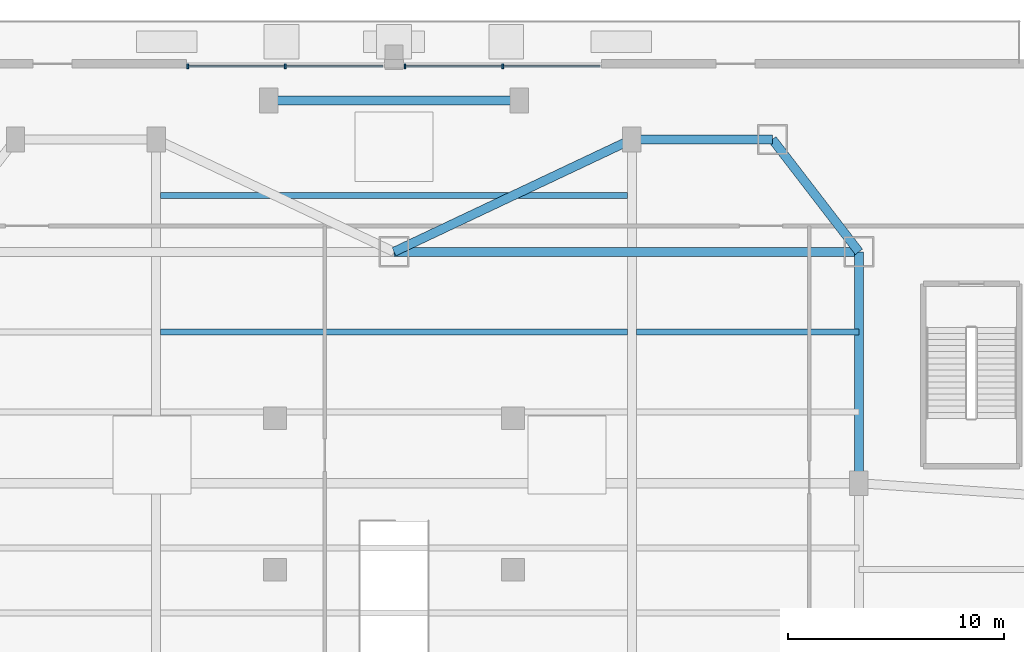
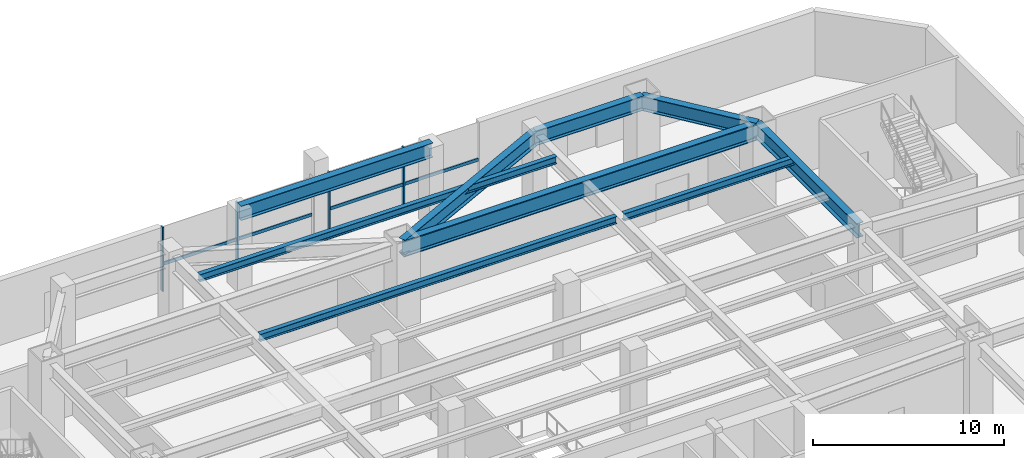
# One storey, part 2 of 10: 9 beams, 8 members, 2 elements without a shape of their own.
"""IFC4 building model written with IfcOpenShell, lengths in metres."""

from ifc_helpers import new_model, si_unit, direction, frame, origin, origin_2d, place, context, subcontext, project, spatial, rectangle, i_section, extrude, source, transform, mapped, material, material_profile, profile_set, type_object, type_shapes, element, aggregate, save


model = new_model("IFC4")

# Units and contexts
model_context = context("Model", 3, precision=1e-05, world=origin(), true_north=direction((0.0, 1.0)))
body_context = subcontext(model_context, "Body", "Model", "MODEL_VIEW")
ifc_project = project(units=[si_unit("LENGTHUNIT", "METRE"), si_unit("AREAUNIT", "SQUARE_METRE"), si_unit("VOLUMEUNIT", "CUBIC_METRE"), si_unit("PLANEANGLEUNIT", "RADIAN"), si_unit("MASSUNIT", "GRAM", prefix="KILO")], contexts=[model_context])

# Site, building, storey
site_placement = place(None, origin())
site = spatial("IfcSite", under=ifc_project, at=site_placement, CompositionType="ELEMENT")
building_placement = place(site_placement, origin())
building = spatial("IfcBuilding", under=site, at=building_placement, Name="Varnakhor Terracotta Tower", CompositionType="ELEMENT")
storey_placement = place(building_placement, frame((0.0, 0.0, 5.5)))
storey = spatial("IfcBuildingStorey", under=building, at=storey_placement, Name="L01", CompositionType="ELEMENT", Elevation=5.5)

# Beams
ifc_material_1 = material(Name="Steel S355", Category="steel")
ifc_material_profile_1 = material_profile(ifc_material_1, i_section(OverallWidth=0.41796875, OverallDepth=0.927001953125, WebThickness=0.01904296875, FlangeThickness=0.031982421875, FilletRadius=0.01806640625, at=origin_2d()), Name="W36X231")
ifc_profile_set_1 = profile_set([ifc_material_profile_1], Name="Steel S355")
beam_type_1 = type_object("IfcBeamType", Name="BM-W36X231", PredefinedType="BEAM", material=ifc_profile_set_1)
shared_shape_1 = source(origin(), body_context, "Body", "SweptSolid", [
    extrude(i_section(OverallWidth=0.41796875, OverallDepth=0.927001953125, WebThickness=0.01904296875, FlangeThickness=0.031982421875, FilletRadius=0.01806640625, at=origin_2d()), origin(), (0.0, 0.0, 1.0), 10.699951171875),
])
beam_1_placement = place(storey_placement, frame((21.5, 39.199951171875, 4.70654296875), z_axis=(0.0, -1.0, 0.0), x_axis=(1.0, 0.0, 0.0)))
element("IfcBeam", 1, at=beam_1_placement, inside=storey, type_object=beam_type_1, Name="L01 Podium Ring Girder 11", PredefinedType="BEAM", context=body_context, shape_type="MappedRepresentation", body=[
    mapped(shared_shape_1, transform((0.0, 0.0, 0.0), scale=1.0)),
])
shared_shape_2 = source(origin(), body_context, "Body", "SweptSolid", [
    extrude(i_section(OverallWidth=0.41796875, OverallDepth=0.927001953125, WebThickness=0.01904296875, FlangeThickness=0.031982421875, FilletRadius=0.01806640625, at=origin_2d()), origin(), (0.0, 0.0, 1.0), 6.560546875),
])
beam_2_placement = place(storey_placement, frame((17.5, 44.39990234375, 4.70654296875), z_axis=(0.609714357737, -0.792621222255, 0.0), x_axis=(0.792621222255, 0.609714357737, 0.0)))
element("IfcBeam", 2, at=beam_2_placement, inside=storey, type_object=beam_type_1, Name="L01 Podium Ring Girder 10", PredefinedType="BEAM", context=body_context, shape_type="MappedRepresentation", body=[
    mapped(shared_shape_2, transform((0.0, 0.0, 0.0), scale=1.0)),
])
shared_shape_3 = source(origin(), body_context, "Body", "SweptSolid", [
    extrude(i_section(OverallWidth=0.41796875, OverallDepth=0.927001953125, WebThickness=0.01904296875, FlangeThickness=0.031982421875, FilletRadius=0.01806640625, at=origin_2d()), origin(), (0.0, 0.0, 1.0), 6.5),
])
beam_3_placement = place(storey_placement, frame((11.0, 44.39990234375, 4.70654296875), z_axis=(1.0, 0.0, 0.0), x_axis=(0.0, 1.0, 0.0)))
element("IfcBeam", 3, at=beam_3_placement, inside=storey, type_object=beam_type_1, Name="L01 Podium Ring Girder 9", PredefinedType="BEAM", context=body_context, shape_type="MappedRepresentation", body=[
    mapped(shared_shape_3, transform((0.0, 0.0, 0.0), scale=1.0)),
])
shared_shape_4 = source(origin(), body_context, "Body", "SweptSolid", [
    extrude(i_section(OverallWidth=0.41796875, OverallDepth=0.927001953125, WebThickness=0.01904296875, FlangeThickness=0.031982421875, FilletRadius=0.01806640625, at=origin_2d()), origin(), (0.0, 0.0, 1.0), 12.167236328125),
])
beam_4_placement = place(storey_placement, frame((0.0, 39.199951171875, 4.70654296875), z_axis=(0.904073817094, 0.427376336787, 0.0), x_axis=(-0.427376336787, 0.904073817094, 0.0)))
element("IfcBeam", 4, at=beam_4_placement, inside=storey, type_object=beam_type_1, Name="L01 Podium Ring Girder 8", PredefinedType="BEAM", context=body_context, shape_type="MappedRepresentation", body=[
    mapped(shared_shape_4, transform((0.0, 0.0, 0.0), scale=1.0)),
])
ifc_material_2 = material(Name="Steel S460", Category="steel")
ifc_material_profile_2 = material_profile(ifc_material_2, i_section(OverallWidth=0.419921875, OverallDepth=1.0400390625, WebThickness=0.031005859375, FlangeThickness=0.055908203125, FilletRadius=0.01806640625, at=origin_2d()), Name="W40X397")
ifc_profile_set_2 = profile_set([ifc_material_profile_2], Name="Steel S460")
beam_type_2 = type_object("IfcBeamType", Name="BM-W40X397", PredefinedType="BEAM", material=ifc_profile_set_2)
shared_shape_5 = source(origin(), body_context, "Body", "SweptSolid", [
    extrude(i_section(OverallWidth=0.419921875, OverallDepth=1.0400390625, WebThickness=0.031005859375, FlangeThickness=0.055908203125, FilletRadius=0.01806640625, at=origin_2d()), origin(), (0.0, 0.0, 1.0), 21.5),
])
beam_5_placement = place(storey_placement, frame((0.0, 39.199951171875, 4.64990234375), z_axis=(1.0, 0.0, 0.0), x_axis=(0.0, 1.0, 0.0)))
element("IfcBeam", 5, at=beam_5_placement, inside=storey, type_object=beam_type_2, Name="L01 Podium Primary Girder GN3", PredefinedType="BEAM", context=body_context, shape_type="MappedRepresentation", body=[
    mapped(shared_shape_5, transform((0.0, 0.0, 0.0), scale=1.0)),
])
ifc_material_profile_3 = material_profile(ifc_material_1, i_section(OverallWidth=0.280029296875, OverallDepth=0.462890625, WebThickness=0.010986328125, FlangeThickness=0.01708984375, FilletRadius=0.01806640625, at=origin_2d()), Name="W18X76")
ifc_profile_set_3 = profile_set([ifc_material_profile_3], Name="Steel S355")
beam_type_3 = type_object("IfcBeamType", Name="JST-W18X76", PredefinedType="JOIST", material=ifc_profile_set_3)
shared_shape_6 = source(origin(), body_context, "Body", "SweptSolid", [
    extrude(i_section(OverallWidth=0.280029296875, OverallDepth=0.462890625, WebThickness=0.010986328125, FlangeThickness=0.01708984375, FilletRadius=0.01806640625, at=origin_2d()), origin(), (0.0, 0.0, 1.0), 10.2939453125),
])
type_shapes(beam_type_3, [shared_shape_6])
beam_6_placement = place(storey_placement, frame((11.2060546875, 35.5, 4.9384765625), z_axis=(1.0, 0.0, 0.0), x_axis=(0.0, 1.0, 0.0)))
element("IfcBeam", 6, at=beam_6_placement, inside=storey, type_object=beam_type_3, Name="L01 Podium Joist 5E", PredefinedType="JOIST", context=body_context, shape_type="MappedRepresentation", body=[
    mapped(shared_shape_6, transform((0.0, 0.0, 0.0), scale=1.0)),
])
shared_shape_7 = source(origin(), body_context, "Body", "SweptSolid", [
    extrude(i_section(OverallWidth=0.280029296875, OverallDepth=0.462890625, WebThickness=0.010986328125, FlangeThickness=0.01708984375, FilletRadius=0.01806640625, at=origin_2d()), origin(), (0.0, 0.0, 1.0), 21.587890625),
])
for number, where, z_axis, x_axis, name in (
    (7, (-10.7939453125, 35.5, 4.9384765625), (1.0, 0.0, 0.0), (0.0, 1.0, 0.0), "L01 Podium Joist 5C"),
    (8, (-10.7939453125, 41.800048828125, 4.9384765625), (1.0, 0.0, 0.0), (0.0, 1.0, 0.0), "L01 Podium Joist 6C"),
):
    element("IfcBeam", number, at=place(storey_placement, frame(where, z_axis=z_axis, x_axis=x_axis)), inside=storey, type_object=beam_type_3, Name=name, PredefinedType="JOIST", context=body_context, shape_type="MappedRepresentation", body=[
        mapped(shared_shape_7, transform((0.0, 0.0, 0.0), scale=1.0)),
    ])
shared_shape_8 = source(origin(), body_context, "Body", "SweptSolid", [
    extrude(i_section(OverallWidth=0.41796875, OverallDepth=0.927001953125, WebThickness=0.01904296875, FlangeThickness=0.031982421875, FilletRadius=0.01806640625, at=origin_2d()), origin(), (0.0, 0.0, 1.0), 11.60009765625),
])
beam_7_placement = place(storey_placement, frame((-5.800048828125, 46.199951171875, 4.70654296875), z_axis=(1.0, 0.0, 0.0), x_axis=(0.0, 1.0, 0.0)))
element("IfcBeam", 9, at=beam_7_placement, inside=storey, type_object=beam_type_1, Name="L01 Terrace North Rim Girder", PredefinedType="BEAM", context=body_context, shape_type="MappedRepresentation", body=[
    mapped(shared_shape_8, transform((0.0, 0.0, 0.0), scale=1.0)),
])

# Curtain wall, member
ifc_material_3 = material(Name="Anodised Aluminium Curtain Wall System", Category="aluminium")
curtain_wall_type = type_object("IfcCurtainWallType", Name="CW-SYS-PODIUM", PredefinedType="NOTDEFINED", material=ifc_material_3)
curtain_wall_1_placement = place(storey_placement, origin())
curtain_wall_1 = element("IfcCurtainWall", 10, at=curtain_wall_1_placement, inside=storey, type_object=curtain_wall_type, Name="L01 North West Foyer Curtain Wall", PredefinedType="NOTDEFINED")
ifc_material_4 = material(Name="Anodised Aluminium 6063-T6", Category="aluminium")
ifc_material_profile_4 = material_profile(ifc_material_4, rectangle(XDim=0.0849609375, YDim=0.199951171875, at=origin_2d()), Name="ALU TRANSOM 85x200")
ifc_profile_set_4 = profile_set([ifc_material_profile_4], Name="Anodised Aluminium 6063-T6")
member_type_1 = type_object("IfcMemberType", Name="CWT-01", PredefinedType="USERDEFINED", material=ifc_profile_set_4)
shared_shape_9 = source(origin(), body_context, "Body", "SweptSolid", [
    extrude(rectangle(XDim=0.0849609375, YDim=0.199951171875, at=origin_2d()), origin(), (0.0, 0.0, 1.0), 4.51513671875),
])
type_shapes(member_type_1, [shared_shape_9])
member_1_placement = place(storey_placement, frame((-9.5400390625, 47.780029296875, 1.726318359375), z_axis=(1.0, 0.0, 0.0), x_axis=(0.0, 1.0, 0.0)))
member_1 = element("IfcMember", 11, at=member_1_placement, type_object=member_type_1, Name="L01 North West Foyer Curtain Wall Transom 1", ObjectType="TRANSOM", PredefinedType="USERDEFINED", context=body_context, shape_type="MappedRepresentation", body=[
    mapped(shared_shape_9, transform((0.0, 0.0, 0.0), scale=1.0)),
])

curtain_wall_2_placement = place(storey_placement, origin())
curtain_wall_2 = element("IfcCurtainWall", 12, at=curtain_wall_2_placement, inside=storey, type_object=curtain_wall_type, Name="L01 North East Foyer Curtain Wall", PredefinedType="NOTDEFINED")
member_2_placement = place(storey_placement, frame((5.02490234375, 47.780029296875, 1.726318359375), z_axis=(1.0, 0.0, 0.0), x_axis=(0.0, 1.0, 0.0)))
member_2 = element("IfcMember", 13, at=member_2_placement, type_object=member_type_1, Name="L01 North East Foyer Curtain Wall Transom 2", ObjectType="TRANSOM", PredefinedType="USERDEFINED", context=body_context, shape_type="MappedRepresentation", body=[
    mapped(shared_shape_9, transform((0.0, 0.0, 0.0), scale=1.0)),
])

# Member
shared_shape_10 = source(origin(), body_context, "Body", "SweptSolid", [
    extrude(rectangle(XDim=0.0849609375, YDim=0.199951171875, at=origin_2d()), origin(), (0.0, 0.0, 1.0), 4.514892578125),
])
member_3_placement = place(storey_placement, frame((-5.02490234375, 47.780029296875, 1.726318359375), z_axis=(1.0, 0.0, 0.0), x_axis=(0.0, 1.0, 0.0)))
member_3 = element("IfcMember", 14, at=member_3_placement, type_object=member_type_1, Name="L01 North West Foyer Curtain Wall Transom 2", ObjectType="TRANSOM", PredefinedType="USERDEFINED", context=body_context, shape_type="MappedRepresentation", body=[
    mapped(shared_shape_10, transform((0.0, 0.0, 0.0), scale=1.0)),
])

member_4_placement = place(storey_placement, frame((0.510009765625, 47.780029296875, 1.726318359375), z_axis=(1.0, 0.0, 0.0), x_axis=(0.0, 1.0, 0.0)))
member_4 = element("IfcMember", 15, at=member_4_placement, type_object=member_type_1, Name="L01 North East Foyer Curtain Wall Transom 1", ObjectType="TRANSOM", PredefinedType="USERDEFINED", context=body_context, shape_type="MappedRepresentation", body=[
    mapped(shared_shape_10, transform((0.0, 0.0, 0.0), scale=1.0)),
])

ifc_material_profile_5 = material_profile(ifc_material_4, rectangle(XDim=0.0849609375, YDim=0.219970703125, at=origin_2d()), Name="ALU MULLION 85x220")
ifc_profile_set_5 = profile_set([ifc_material_profile_5], Name="Anodised Aluminium 6063-T6")
member_type_2 = type_object("IfcMemberType", Name="CWM-01", PredefinedType="MULLION", material=ifc_profile_set_5)
shared_shape_11 = source(origin(), body_context, "Body", "SweptSolid", [
    extrude(rectangle(XDim=0.0849609375, YDim=0.219970703125, at=origin_2d()), origin(), (0.0, 0.0, 1.0), 4.110107421875),
])
member_5_placement = place(storey_placement, frame((-9.5400390625, 47.780029296875, 0.0), z_axis=(0.0, 0.0, 1.0), x_axis=(1.0, 0.0, 0.0)))
member_5 = element("IfcMember", 16, at=member_5_placement, type_object=member_type_2, Name="L01 North West Foyer Curtain Wall Mullion 1", PredefinedType="MULLION", context=body_context, shape_type="MappedRepresentation", body=[
    mapped(shared_shape_11, transform((0.0, 0.0, 0.0), scale=1.0)),
])

member_6_placement = place(storey_placement, frame((-5.02490234375, 47.780029296875, 0.0), z_axis=(0.0, 0.0, 1.0), x_axis=(1.0, 0.0, 0.0)))
member_6 = element("IfcMember", 17, at=member_6_placement, type_object=member_type_2, Name="L01 North West Foyer Curtain Wall Mullion 2", PredefinedType="MULLION", context=body_context, shape_type="MappedRepresentation", body=[
    mapped(shared_shape_11, transform((0.0, 0.0, 0.0), scale=1.0)),
])

aggregate(curtain_wall_1, [member_5, member_1, member_6, member_3])

member_7_placement = place(storey_placement, frame((0.510009765625, 47.780029296875, 0.0), z_axis=(0.0, 0.0, 1.0), x_axis=(1.0, 0.0, 0.0)))
member_7 = element("IfcMember", 18, at=member_7_placement, type_object=member_type_2, Name="L01 North East Foyer Curtain Wall Mullion 1", PredefinedType="MULLION", context=body_context, shape_type="MappedRepresentation", body=[
    mapped(shared_shape_11, transform((0.0, 0.0, 0.0), scale=1.0)),
])

member_8_placement = place(storey_placement, frame((5.02490234375, 47.780029296875, 0.0), z_axis=(0.0, 0.0, 1.0), x_axis=(1.0, 0.0, 0.0)))
member_8 = element("IfcMember", 19, at=member_8_placement, type_object=member_type_2, Name="L01 North East Foyer Curtain Wall Mullion 2", PredefinedType="MULLION", context=body_context, shape_type="MappedRepresentation", body=[
    mapped(shared_shape_11, transform((0.0, 0.0, 0.0), scale=1.0)),
])

aggregate(curtain_wall_2, [member_7, member_4, member_8, member_2])

save(model, "model.ifc")
